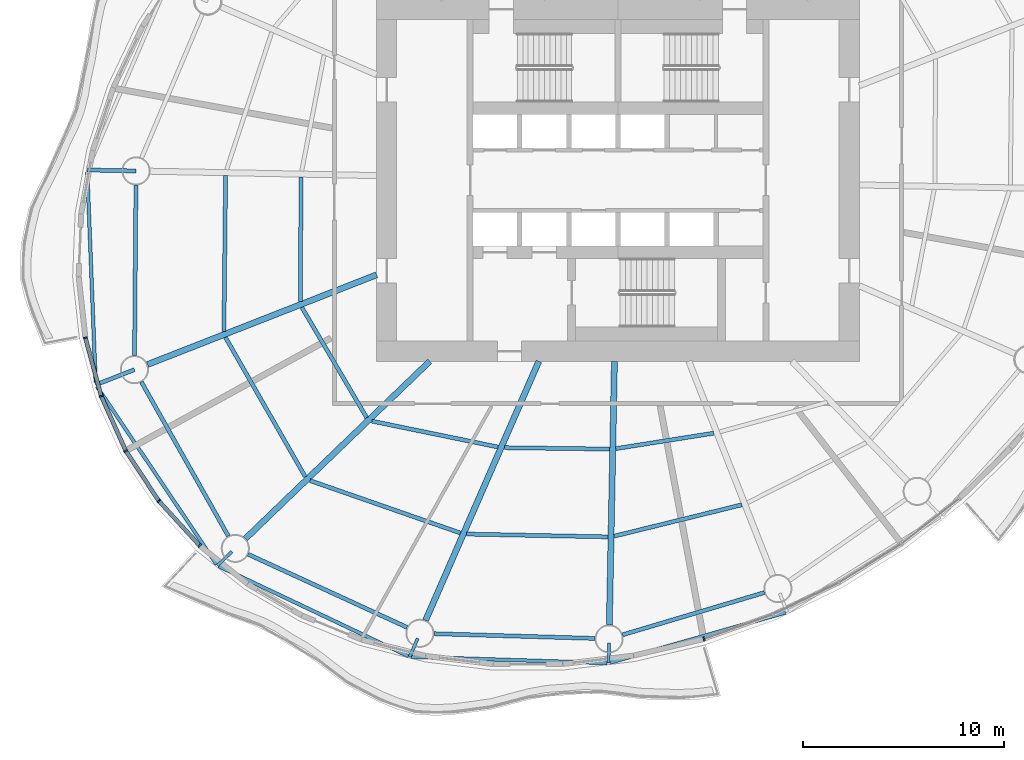
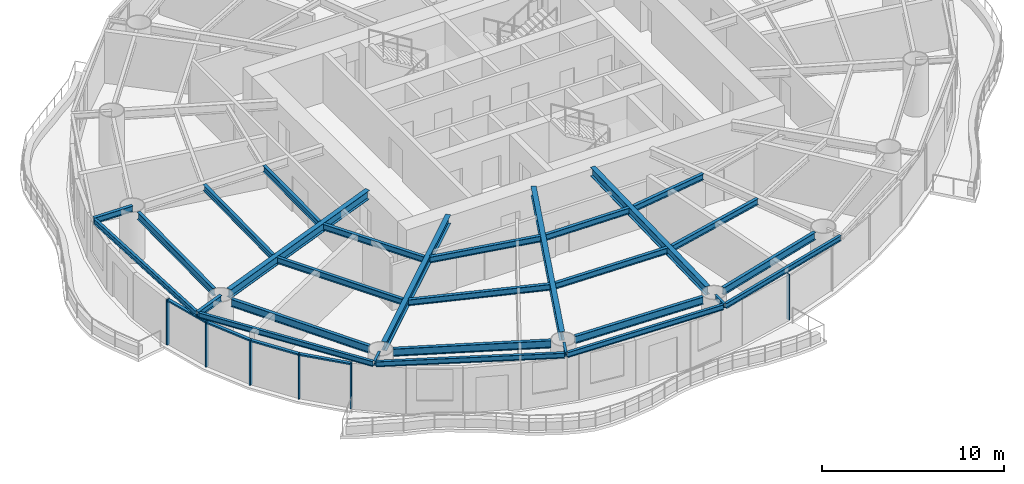
# One storey, part 2 of 14: 29 beams, 10 members, 5 elements without a shape of their own.
"""IFC4 building model written with IfcOpenShell, lengths in metres."""

from ifc_helpers import new_model, si_unit, direction, frame, origin, origin_2d, place, context, subcontext, project, spatial, rectangle, i_section, extrude, material, material_profile, profile_set, type_object, element, aggregate, save


model = new_model("IFC4")

# Units and contexts
model_context = context("Model", 3, precision=1e-05, world=origin(), true_north=direction((0.0, 1.0)))
body_context = subcontext(model_context, "Body", "Model", "MODEL_VIEW")
ifc_project = project(units=[si_unit("LENGTHUNIT", "METRE"), si_unit("AREAUNIT", "SQUARE_METRE"), si_unit("VOLUMEUNIT", "CUBIC_METRE"), si_unit("PLANEANGLEUNIT", "RADIAN"), si_unit("MASSUNIT", "GRAM", prefix="KILO")], contexts=[model_context])

# Site, building, storey
site_placement = place(None, origin())
site = spatial("IfcSite", under=ifc_project, at=site_placement, CompositionType="ELEMENT")
building_placement = place(site_placement, origin())
building = spatial("IfcBuilding", under=site, at=building_placement, Name="Vermilion Reach Broadcast Tower", CompositionType="ELEMENT")
storey_placement = place(building_placement, frame((0.0, 0.0, 150.60009765625)))
storey = spatial("IfcBuildingStorey", under=building, at=storey_placement, Name="L35", CompositionType="ELEMENT", Elevation=150.60009765625)

# Beams
ifc_material_1 = material(Name="Steel S355J2", Category="steel")
ifc_material_profile_1 = material_profile(ifc_material_1, i_section(OverallWidth=0.175048828125, OverallDepth=0.35009765625, WebThickness=0.007080078125, FlangeThickness=0.010986328125, at=origin_2d()), Name="S355J2 HN 350x175x7x11")
ifc_profile_set_1 = profile_set([ifc_material_profile_1], Name="Steel S355J2")
beam_type_1 = type_object("IfcBeamType", Name="EB3 HN 350x175x7x11", PredefinedType="BEAM", material=ifc_profile_set_1)
beam_1_placement = place(storey_placement, frame((-32.383544921875, 0.4111328125, 3.27490234375), z_axis=(0.039683442003, -0.999212301981, 0.0), x_axis=(0.999212301981, 0.039683442003, 0.0)))
element("IfcBeam", 1, at=beam_1_placement, inside=storey, type_object=beam_type_1, Name="Edge beam EB3-07", PredefinedType="BEAM", context=body_context, shape_type="SweptSolid", body=[
    extrude(i_section(OverallWidth=0.175048828125, OverallDepth=0.35009765625, WebThickness=0.007080078125, FlangeThickness=0.010986328125, at=origin_2d()), origin(), (0.0, 0.0, 1.0), 10.4833984375),
])
beam_2_placement = place(storey_placement, frame((-31.906005859375, -10.254638671875, 3.27490234375), z_axis=(0.558301159465, -0.829638364192, 0.0), x_axis=(0.829638364192, 0.558301159465, 0.0)))
element("IfcBeam", 2, at=beam_2_placement, inside=storey, type_object=beam_type_1, Name="Edge beam EB3-08", PredefinedType="BEAM", context=body_context, shape_type="SweptSolid", body=[
    extrude(i_section(OverallWidth=0.175048828125, OverallDepth=0.35009765625, WebThickness=0.007080078125, FlangeThickness=0.010986328125, at=origin_2d()), origin(), (0.0, 0.0, 1.0), 10.655029296875),
])
beam_3_placement = place(storey_placement, frame((-25.84228515625, -19.192138671875, 3.27490234375), z_axis=(0.903495446889, -0.428597687175, 0.0), x_axis=(0.428597687175, 0.903495446889, 0.0)))
element("IfcBeam", 3, at=beam_3_placement, inside=storey, type_object=beam_type_1, Name="Edge beam EB3-09", PredefinedType="BEAM", context=body_context, shape_type="SweptSolid", body=[
    extrude(i_section(OverallWidth=0.175048828125, OverallDepth=0.35009765625, WebThickness=0.007080078125, FlangeThickness=0.010986328125, at=origin_2d()), origin(), (0.0, 0.0, 1.0), 10.4248046875),
])
beam_4_placement = place(storey_placement, frame((-16.275146484375, -23.69482421875, 3.27490234375), z_axis=(0.999495579017, -0.03175826705, 0.0), x_axis=(0.03175826705, 0.999495579017, 0.0)))
element("IfcBeam", 4, at=beam_4_placement, inside=storey, type_object=beam_type_1, Name="Edge beam EB3-10", PredefinedType="BEAM", context=body_context, shape_type="SweptSolid", body=[
    extrude(i_section(OverallWidth=0.175048828125, OverallDepth=0.35009765625, WebThickness=0.007080078125, FlangeThickness=0.010986328125, at=origin_2d()), origin(), (0.0, 0.0, 1.0), 9.739990234375),
])
beam_5_placement = place(storey_placement, frame((-6.3896484375, -23.985107421875, 3.27490234375), z_axis=(0.961566566412, 0.274571918373, 0.0), x_axis=(-0.274571918373, 0.961566566412, 0.0)))
element("IfcBeam", 5, at=beam_5_placement, inside=storey, type_object=beam_type_1, Name="Edge beam EB3-11", PredefinedType="BEAM", context=body_context, shape_type="SweptSolid", body=[
    extrude(i_section(OverallWidth=0.175048828125, OverallDepth=0.35009765625, WebThickness=0.007080078125, FlangeThickness=0.010986328125, at=origin_2d()), origin(), (0.0, 0.0, 1.0), 9.07666015625),
])
ifc_material_2 = material(Name="Steel S355J2", Category="steel")
ifc_material_profile_2 = material_profile(ifc_material_2, i_section(OverallWidth=0.300048828125, OverallDepth=0.587890625, WebThickness=0.011962890625, FlangeThickness=0.02001953125, at=origin_2d()), Name="S355J2 HM 588x300x12x20")
ifc_profile_set_2 = profile_set([ifc_material_profile_2], Name="Steel S355J2")
beam_type_2 = type_object("IfcBeamType", Name="G3 HM 588x300x12x20", PredefinedType="BEAM", material=ifc_profile_set_2)
beam_6_placement = place(storey_placement, frame((-18.0, -4.700439453125, 3.156005859375), z_axis=(-0.931124635714, -0.364701128004, 0.0), x_axis=(0.364701128004, -0.931124635714, 0.0)))
element("IfcBeam", 6, at=beam_6_placement, inside=storey, type_object=beam_type_2, Name="Girder G3-08", PredefinedType="BEAM", context=body_context, shape_type="SweptSolid", body=[
    extrude(i_section(OverallWidth=0.300048828125, OverallDepth=0.587890625, WebThickness=0.011962890625, FlangeThickness=0.02001953125, at=origin_2d()), origin(), (0.0, 0.0, 1.0), 12.231201171875),
])
beam_7_placement = place(storey_placement, frame((-15.355712890625, -9.0, 3.156005859375), z_axis=(-0.720670374476, -0.693277874559, 0.0), x_axis=(0.693277874559, -0.720670374476, 0.0)))
element("IfcBeam", 7, at=beam_7_placement, inside=storey, type_object=beam_type_2, Name="Girder G3-09", PredefinedType="BEAM", context=body_context, shape_type="SweptSolid", body=[
    extrude(i_section(OverallWidth=0.300048828125, OverallDepth=0.587890625, WebThickness=0.011962890625, FlangeThickness=0.02001953125, at=origin_2d()), origin(), (0.0, 0.0, 1.0), 12.718505859375),
])
beam_8_placement = place(storey_placement, frame((-9.933837890625, -9.0, 3.156005859375), z_axis=(-0.400519113205, -0.916288404356, 0.0), x_axis=(0.916288404356, -0.400519113205, 0.0)))
element("IfcBeam", 8, at=beam_8_placement, inside=storey, type_object=beam_type_2, Name="Girder G3-10", PredefinedType="BEAM", context=body_context, shape_type="SweptSolid", body=[
    extrude(i_section(OverallWidth=0.300048828125, OverallDepth=0.587890625, WebThickness=0.011962890625, FlangeThickness=0.02001953125, at=origin_2d()), origin(), (0.0, 0.0, 1.0), 14.0595703125),
])
beam_9_placement = place(storey_placement, frame((-6.17431640625, -9.0, 3.156005859375), z_axis=(-0.019378372481, -0.99981222171, 0.0), x_axis=(0.99981222171, -0.019378372481, 0.0)))
element("IfcBeam", 9, at=beam_9_placement, inside=storey, type_object=beam_type_2, Name="Girder G3-11", PredefinedType="BEAM", context=body_context, shape_type="SweptSolid", body=[
    extrude(i_section(OverallWidth=0.300048828125, OverallDepth=0.587890625, WebThickness=0.011962890625, FlangeThickness=0.02001953125, at=origin_2d()), origin(), (0.0, 0.0, 1.0), 13.1025390625),
])
ifc_material_3 = material(Name="Steel S355J2", Category="steel")
ifc_material_profile_3 = material_profile(ifc_material_3, i_section(OverallWidth=0.199951171875, OverallDepth=0.39990234375, WebThickness=0.008056640625, FlangeThickness=0.012939453125, at=origin_2d()), Name="S355J2 HN 400x200x8x13")
ifc_profile_set_3 = profile_set([ifc_material_profile_3], Name="Steel S355J2")
beam_type_3 = type_object("IfcBeamType", Name="GC3 HN 400x200x8x13", PredefinedType="BEAM", material=ifc_profile_set_3)
beam_10_placement = place(storey_placement, frame((-29.95947265625, 0.464111328125, 3.25), z_axis=(-0.999811742453, 0.019403083589, 0.0), x_axis=(-0.019403083589, -0.999811742453, 0.0)))
element("IfcBeam", 10, at=beam_10_placement, inside=storey, type_object=beam_type_3, Name="Cantilever girder GC3-07", PredefinedType="BEAM", context=body_context, shape_type="SweptSolid", body=[
    extrude(i_section(OverallWidth=0.199951171875, OverallDepth=0.39990234375, WebThickness=0.008056640625, FlangeThickness=0.012939453125, at=origin_2d()), origin(), (0.0, 0.0, 1.0), 2.428466796875),
])
beam_11_placement = place(storey_placement, frame((-30.04052734375, -9.41650390625, 3.25), z_axis=(-0.931103154968, -0.364755966105, 0.0), x_axis=(0.364755966105, -0.931103154968, 0.0)))
element("IfcBeam", 11, at=beam_11_placement, inside=storey, type_object=beam_type_3, Name="Cantilever girder GC3-08", PredefinedType="BEAM", context=body_context, shape_type="SweptSolid", body=[
    extrude(i_section(OverallWidth=0.199951171875, OverallDepth=0.39990234375, WebThickness=0.008056640625, FlangeThickness=0.012939453125, at=origin_2d()), origin(), (0.0, 0.0, 1.0), 2.06494140625),
])
ifc_material_4 = material(Name="Steel S355J2", Category="steel")
ifc_material_profile_4 = material_profile(ifc_material_4, i_section(OverallWidth=0.14990234375, OverallDepth=0.300048828125, WebThickness=0.006591796875, FlangeThickness=0.009033203125, at=origin_2d()), Name="S355J2 HN 300x150x6.5x9")
ifc_profile_set_4 = profile_set([ifc_material_profile_4], Name="Steel S355J2")
beam_type_4 = type_object("IfcBeamType", Name="GS3 HN 300x150x6.5x9", PredefinedType="BEAM", material=ifc_profile_set_4)
for number, where, z_axis, x_axis, name in (
    (12, (-25.194091796875, -18.46435546875, 3.2998046875), (-0.720645397388, -0.693303837595, 0.0), (0.693303837595, -0.720645397388, 0.0), "Cantilever stub GS3-09"),
    (13, (-15.955322265625, -22.77587890625, 3.2998046875), (-0.400421736837, -0.916330962408, 0.0), (0.916330962408, -0.400421736837, 0.0), "Cantilever stub GS3-10"),
    (14, (-6.44580078125, -23.0068359375, 3.2998046875), (-0.019288230334, -0.999813964781, 0.0), (0.999813964781, -0.019288230334, 0.0), "Cantilever stub GS3-11"),
):
    element("IfcBeam", number, at=place(storey_placement, frame(where, z_axis=z_axis, x_axis=x_axis)), inside=storey, type_object=beam_type_4, Name=name, PredefinedType="BEAM", context=body_context, shape_type="SweptSolid", body=[
        extrude(i_section(OverallWidth=0.14990234375, OverallDepth=0.300048828125, WebThickness=0.006591796875, FlangeThickness=0.009033203125, at=origin_2d()), origin(), (0.0, 0.0, 1.0), 1.0),
    ])
ifc_material_5 = material(Name="Steel S355J2", Category="steel")
ifc_material_profile_5 = material_profile(ifc_material_5, i_section(OverallWidth=0.199951171875, OverallDepth=0.5, WebThickness=0.010009765625, FlangeThickness=0.01611328125, at=origin_2d()), Name="S355J2 HN 500x200x10x16")
ifc_profile_set_5 = profile_set([ifc_material_profile_5], Name="Steel S355J2")
beam_type_5 = type_object("IfcBeamType", Name="RB3 HN 500x200x10x16", PredefinedType="BEAM", material=ifc_profile_set_5)
beam_12_placement = place(storey_placement, frame((-29.965087890625, -0.23583984375, 3.199951171875), z_axis=(-0.008204232036, -0.999966344722, 0.0), x_axis=(0.999966344722, -0.008204232036, 0.0)))
element("IfcBeam", 15, at=beam_12_placement, inside=storey, type_object=beam_type_5, Name="Ring beam RB3-07", PredefinedType="BEAM", context=body_context, shape_type="SweptSolid", body=[
    extrude(i_section(OverallWidth=0.199951171875, OverallDepth=0.5, WebThickness=0.010009765625, FlangeThickness=0.01611328125, at=origin_2d()), origin(), (0.0, 0.0, 1.0), 8.48095703125),
])
beam_13_placement = place(storey_placement, frame((-29.696533203125, -10.026123046875, 3.199951171875), z_axis=(0.491466825026, -0.870896296869, 0.0), x_axis=(0.870896296869, 0.491466825026, 0.0)))
element("IfcBeam", 16, at=beam_13_placement, inside=storey, type_object=beam_type_5, Name="Ring beam RB3-08", PredefinedType="BEAM", context=body_context, shape_type="SweptSolid", body=[
    extrude(i_section(OverallWidth=0.199951171875, OverallDepth=0.5, WebThickness=0.010009765625, FlangeThickness=0.01611328125, at=origin_2d()), origin(), (0.0, 0.0, 1.0), 8.803466796875),
])
beam_14_placement = place(storey_placement, frame((-24.389892578125, -18.594970703125, 3.199951171875), z_axis=(0.908546241769, -0.417784306272, 0.0), x_axis=(0.417784306272, 0.908546241769, 0.0)))
element("IfcBeam", 17, at=beam_14_placement, inside=storey, type_object=beam_type_5, Name="Ring beam RB3-09", PredefinedType="BEAM", context=body_context, shape_type="SweptSolid", body=[
    extrude(i_section(OverallWidth=0.199951171875, OverallDepth=0.5, WebThickness=0.010009765625, FlangeThickness=0.01611328125, at=origin_2d()), origin(), (0.0, 0.0, 1.0), 8.704833984375),
])
beam_15_placement = place(storey_placement, frame((-15.1455078125, -22.544677734375, 3.199951171875), z_axis=(0.999569781146, -0.029330063427, 0.0), x_axis=(0.029330063427, 0.999569781146, 0.0)))
element("IfcBeam", 18, at=beam_15_placement, inside=storey, type_object=beam_type_5, Name="Ring beam RB3-10", PredefinedType="BEAM", context=body_context, shape_type="SweptSolid", body=[
    extrude(i_section(OverallWidth=0.199951171875, OverallDepth=0.5, WebThickness=0.010009765625, FlangeThickness=0.01611328125, at=origin_2d()), origin(), (0.0, 0.0, 1.0), 8.007568359375),
])
beam_16_placement = place(storey_placement, frame((-5.770751953125, -22.60009765625, 3.199951171875), z_axis=(0.958416970322, 0.285371531516, 0.0), x_axis=(-0.285371531516, 0.958416970322, 0.0)))
element("IfcBeam", 19, at=beam_16_placement, inside=storey, type_object=beam_type_5, Name="Ring beam RB3-11", PredefinedType="BEAM", context=body_context, shape_type="SweptSolid", body=[
    extrude(i_section(OverallWidth=0.199951171875, OverallDepth=0.5, WebThickness=0.010009765625, FlangeThickness=0.01611328125, at=origin_2d()), origin(), (0.0, 0.0, 1.0), 7.357421875),
])
ifc_material_6 = material(Name="Steel S355J2", Category="steel")
ifc_material_profile_6 = material_profile(ifc_material_6, i_section(OverallWidth=0.199951171875, OverallDepth=0.39990234375, WebThickness=0.008056640625, FlangeThickness=0.012939453125, at=origin_2d()), Name="S355J2 HN 400x200x8x13")
ifc_profile_set_6 = profile_set([ifc_material_profile_6], Name="Steel S355J2")
beam_type_6 = type_object("IfcBeamType", Name="SB3 HN 400x200x8x13", PredefinedType="BEAM", material=ifc_profile_set_6)
beam_17_placement = place(storey_placement, frame((-21.754150390625, 0.1552734375, 3.25), z_axis=(-0.006635449147, -0.999977985165, 0.0), x_axis=(0.999977985165, -0.006635449147, 0.0)))
element("IfcBeam", 20, at=beam_17_placement, inside=storey, type_object=beam_type_6, Name="Secondary beam SB3-07-1", PredefinedType="BEAM", context=body_context, shape_type="SweptSolid", body=[
    extrude(i_section(OverallWidth=0.199951171875, OverallDepth=0.39990234375, WebThickness=0.008056640625, FlangeThickness=0.012939453125, at=origin_2d()), origin(), (0.0, 0.0, 1.0), 6.181396484375),
])
beam_18_placement = place(storey_placement, frame((-25.508056640625, 0.22802734375, 3.25), z_axis=(-0.010691708672, -0.999942842049, 0.0), x_axis=(0.999942842049, -0.010691708672, 0.0)))
element("IfcBeam", 21, at=beam_18_placement, inside=storey, type_object=beam_type_6, Name="Secondary beam SB3-07-2", PredefinedType="BEAM", context=body_context, shape_type="SweptSolid", body=[
    extrude(i_section(OverallWidth=0.199951171875, OverallDepth=0.39990234375, WebThickness=0.008056640625, FlangeThickness=0.012939453125, at=origin_2d()), origin(), (0.0, 0.0, 1.0), 7.740966796875),
])
beam_19_placement = place(storey_placement, frame((-21.71923828125, -6.318115234375, 3.25), z_axis=(0.507249643612, -0.861799163991, 0.0), x_axis=(0.861799163991, 0.507249643612, 0.0)))
element("IfcBeam", 22, at=beam_19_placement, inside=storey, type_object=beam_type_6, Name="Secondary beam SB3-08-1", PredefinedType="BEAM", context=body_context, shape_type="SweptSolid", body=[
    extrude(i_section(OverallWidth=0.199951171875, OverallDepth=0.39990234375, WebThickness=0.008056640625, FlangeThickness=0.012939453125, at=origin_2d()), origin(), (0.0, 0.0, 1.0), 6.3681640625),
])
beam_20_placement = place(storey_placement, frame((-25.51708984375, -7.805908203125, 3.25), z_axis=(0.497026503115, -0.867735360119, 0.0), x_axis=(0.867735360119, 0.497026503115, 0.0)))
element("IfcBeam", 23, at=beam_20_placement, inside=storey, type_object=beam_type_6, Name="Secondary beam SB3-08-2", PredefinedType="BEAM", context=body_context, shape_type="SweptSolid", body=[
    extrude(i_section(OverallWidth=0.199951171875, OverallDepth=0.39990234375, WebThickness=0.008056640625, FlangeThickness=0.012939453125, at=origin_2d()), origin(), (0.0, 0.0, 1.0), 7.995849609375),
])
beam_21_placement = place(storey_placement, frame((-18.232666015625, -11.975830078125, 3.25), z_axis=(0.97956765607, -0.201114910391, 0.0), x_axis=(0.201114910391, 0.97956765607, 0.0)))
element("IfcBeam", 24, at=beam_21_placement, inside=storey, type_object=beam_type_6, Name="Secondary beam SB3-09-1", PredefinedType="BEAM", context=body_context, shape_type="SweptSolid", body=[
    extrude(i_section(OverallWidth=0.199951171875, OverallDepth=0.39990234375, WebThickness=0.008056640625, FlangeThickness=0.012939453125, at=origin_2d()), origin(), (0.0, 0.0, 1.0), 6.40234375),
])
beam_22_placement = place(storey_placement, frame((-21.307373046875, -14.93359375, 3.25), z_axis=(0.94431696779, -0.329037177754, 0.0), x_axis=(0.329037177754, 0.94431696779, 0.0)))
element("IfcBeam", 25, at=beam_22_placement, inside=storey, type_object=beam_type_6, Name="Secondary beam SB3-09-2", PredefinedType="BEAM", context=body_context, shape_type="SweptSolid", body=[
    extrude(i_section(OverallWidth=0.199951171875, OverallDepth=0.39990234375, WebThickness=0.008056640625, FlangeThickness=0.012939453125, at=origin_2d()), origin(), (0.0, 0.0, 1.0), 7.91845703125),
])
beam_23_placement = place(storey_placement, frame((-11.648193359375, -13.29638671875, 3.25), z_axis=(0.999914891843, -0.013046419838, 0.0), x_axis=(0.013046419838, 0.999914891843, 0.0)))
element("IfcBeam", 26, at=beam_23_placement, inside=storey, type_object=beam_type_6, Name="Secondary beam SB3-10-1", PredefinedType="BEAM", context=body_context, shape_type="SweptSolid", body=[
    extrude(i_section(OverallWidth=0.199951171875, OverallDepth=0.39990234375, WebThickness=0.008056640625, FlangeThickness=0.012939453125, at=origin_2d()), origin(), (0.0, 0.0, 1.0), 5.23974609375),
])
beam_24_placement = place(storey_placement, frame((-13.525634765625, -17.591552734375, 3.25), z_axis=(0.999804929321, -0.019751033045, 0.0), x_axis=(0.019751033045, 0.999804929321, 0.0)))
element("IfcBeam", 27, at=beam_24_placement, inside=storey, type_object=beam_type_6, Name="Secondary beam SB3-10-2", PredefinedType="BEAM", context=body_context, shape_type="SweptSolid", body=[
    extrude(i_section(OverallWidth=0.199951171875, OverallDepth=0.39990234375, WebThickness=0.008056640625, FlangeThickness=0.012939453125, at=origin_2d()), origin(), (0.0, 0.0, 1.0), 7.033447265625),
])
beam_25_placement = place(storey_placement, frame((-6.1083984375, -13.343017578125, 3.25), z_axis=(0.987756142208, 0.15600578044, 0.0), x_axis=(-0.15600578044, 0.987756142208, 0.0)))
element("IfcBeam", 28, at=beam_25_placement, inside=storey, type_object=beam_type_6, Name="Secondary beam SB3-11-1", PredefinedType="BEAM", context=body_context, shape_type="SweptSolid", body=[
    extrude(i_section(OverallWidth=0.199951171875, OverallDepth=0.39990234375, WebThickness=0.008056640625, FlangeThickness=0.012939453125, at=origin_2d()), origin(), (0.0, 0.0, 1.0), 4.9326171875),
])
beam_26_placement = place(storey_placement, frame((-6.19287109375, -17.6962890625, 3.25), z_axis=(0.971111691931, 0.238625400566, 0.0), x_axis=(-0.238625400566, 0.971111691931, 0.0)))
element("IfcBeam", 29, at=beam_26_placement, inside=storey, type_object=beam_type_6, Name="Secondary beam SB3-11-2", PredefinedType="BEAM", context=body_context, shape_type="SweptSolid", body=[
    extrude(i_section(OverallWidth=0.199951171875, OverallDepth=0.39990234375, WebThickness=0.008056640625, FlangeThickness=0.012939453125, at=origin_2d()), origin(), (0.0, 0.0, 1.0), 6.540771484375),
])

# Curtain wall, member
ifc_material_7 = material(Name="Low-e laminated clear glass in aluminium frame", Category="aluminium")
curtain_wall_type = type_object("IfcCurtainWallType", Name="Slot curtain wall", PredefinedType="NOTDEFINED", material=ifc_material_7)
placement = place(storey_placement, origin())
curtain_wall_1 = element("IfcCurtainWall", 30, at=placement, inside=storey, type_object=curtain_wall_type, Name="Slot curtain wall L35 22", PredefinedType="NOTDEFINED")
ifc_material_8 = material(Name="Anodised aluminium", Category="aluminium")
ifc_material_profile_7 = material_profile(ifc_material_8, rectangle(XDim=0.199951171875, YDim=0.080078125, at=origin_2d()), Name="Slot mullion 80 x 200")
ifc_profile_set_7 = profile_set([ifc_material_profile_7], Name="Anodised aluminium")
member_type_1 = type_object("IfcMemberType", Name="Slot mullion 80 x 200", PredefinedType="MULLION", material=ifc_profile_set_7)
member_1_placement = place(storey_placement, frame((-32.47802734375, -7.832275390625, 0.0), z_axis=(0.0, 0.0, 1.0), x_axis=(0.982526600991, 0.186122213465, 0.0)))
member_1 = element("IfcMember", 31, at=member_1_placement, type_object=member_type_1, Name="Slot mullion L35 22", PredefinedType="MULLION", context=body_context, shape_type="SweptSolid", body=[
    extrude(rectangle(XDim=0.199951171875, YDim=0.080078125, at=origin_2d()), origin(), (0.0, 0.0, 1.0), 3.0498046875),
])

curtain_wall_2 = element("IfcCurtainWall", 32, at=placement, inside=storey, type_object=curtain_wall_type, Name="Slot curtain wall L35 23", PredefinedType="NOTDEFINED")
member_2_placement = place(storey_placement, frame((-31.69189453125, -10.73388671875, 0.0), z_axis=(0.0, 0.0, 1.0), x_axis=(0.941522769431, 0.336949365103, 0.0)))
member_2 = element("IfcMember", 33, at=member_2_placement, type_object=member_type_1, Name="Slot mullion L35 23", PredefinedType="MULLION", context=body_context, shape_type="SweptSolid", body=[
    extrude(rectangle(XDim=0.199951171875, YDim=0.080078125, at=origin_2d()), origin(), (0.0, 0.0, 1.0), 3.0498046875),
])

curtain_wall_3 = element("IfcCurtainWall", 34, at=placement, inside=storey, type_object=curtain_wall_type, Name="Slot curtain wall L35 24", PredefinedType="NOTDEFINED")
member_3_placement = place(storey_placement, frame((-30.468994140625, -13.451904296875, 0.0), z_axis=(0.0, 0.0, 1.0), x_axis=(0.876306754633, 0.481753538425, 0.0)))
member_3 = element("IfcMember", 35, at=member_3_placement, type_object=member_type_1, Name="Slot mullion L35 24", PredefinedType="MULLION", context=body_context, shape_type="SweptSolid", body=[
    extrude(rectangle(XDim=0.199951171875, YDim=0.080078125, at=origin_2d()), origin(), (0.0, 0.0, 1.0), 3.0498046875),
])

# Curtain wall, members
curtain_wall_4 = element("IfcCurtainWall", 36, at=placement, inside=storey, type_object=curtain_wall_type, Name="Slot curtain wall L35 25", PredefinedType="NOTDEFINED")
member_4_placement = place(storey_placement, frame((-28.829345703125, -15.94091796875, 0.0), z_axis=(0.0, 0.0, 1.0), x_axis=(0.788988889973, 0.61440746374, 0.0)))
member_4 = element("IfcMember", 37, at=member_4_placement, type_object=member_type_1, Name="Slot mullion L35 25", PredefinedType="MULLION", context=body_context, shape_type="SweptSolid", body=[
    extrude(rectangle(XDim=0.199951171875, YDim=0.080078125, at=origin_2d()), origin(), (0.0, 0.0, 1.0), 3.0498046875),
])
member_5_placement = place(storey_placement, frame((-26.800537109375, -18.159423828125, 0.0), z_axis=(0.0, 0.0, 1.0), x_axis=(0.68361216835, 0.729845465345, 0.0)))
member_5 = element("IfcMember", 38, at=member_5_placement, type_object=member_type_1, Name="Slot mullion L35 26", PredefinedType="MULLION", context=body_context, shape_type="SweptSolid", body=[
    extrude(rectangle(XDim=0.199951171875, YDim=0.080078125, at=origin_2d()), origin(), (0.0, 0.0, 1.0), 3.0498046875),
])

# Curtain wall, member
curtain_wall_5 = element("IfcCurtainWall", 39, at=placement, inside=storey, type_object=curtain_wall_type, Name="Slot curtain wall L35 34", PredefinedType="NOTDEFINED")
member_6_placement = place(storey_placement, frame((-1.723876953125, -22.80712890625, 0.0), z_axis=(0.0, 0.0, 1.0), x_axis=(-0.282324732449, 0.959318896639, 0.0)))
member_6 = element("IfcMember", 40, at=member_6_placement, type_object=member_type_1, Name="Slot mullion L35 34", PredefinedType="MULLION", context=body_context, shape_type="SweptSolid", body=[
    extrude(rectangle(XDim=0.199951171875, YDim=0.080078125, at=origin_2d()), origin(), (0.0, 0.0, 1.0), 3.0498046875),
])
aggregate(curtain_wall_5, [member_6])

# Member
ifc_material_9 = material(Name="Anodised aluminium", Category="aluminium")
ifc_material_profile_8 = material_profile(ifc_material_9, rectangle(XDim=0.199951171875, YDim=0.10009765625, at=origin_2d()), Name="Slot transom 200 x 100")
ifc_profile_set_8 = profile_set([ifc_material_profile_8], Name="Anodised aluminium")
member_type_2 = type_object("IfcMemberType", Name="Slot transom 200 x 100", PredefinedType="USERDEFINED", material=ifc_profile_set_8)
member_7_placement = place(storey_placement, frame((-32.467529296875, -7.870849609375, 3.0), z_axis=(0.261472152899, -0.965211020067, 0.0), x_axis=(0.965211020067, 0.261472152899, 0.0)))
member_7 = element("IfcMember", 41, at=member_7_placement, type_object=member_type_2, Name="Slot transom L35 22.1", ObjectType="TRANSOM", PredefinedType="USERDEFINED", context=body_context, shape_type="SweptSolid", body=[
    extrude(rectangle(XDim=0.199951171875, YDim=0.10009765625, at=origin_2d()), origin(), (0.0, 0.0, 1.0), 2.92626953125),
])

aggregate(curtain_wall_1, [member_1, member_7])

member_8_placement = place(storey_placement, frame((-31.675537109375, -10.770263671875, 3.0), z_axis=(0.410312181887, -0.911945126307, 0.0), x_axis=(0.911945126307, 0.410312181887, 0.0)))
member_8 = element("IfcMember", 42, at=member_8_placement, type_object=member_type_2, Name="Slot transom L35 23.1", ObjectType="TRANSOM", PredefinedType="USERDEFINED", context=body_context, shape_type="SweptSolid", body=[
    extrude(rectangle(XDim=0.199951171875, YDim=0.10009765625, at=origin_2d()), origin(), (0.0, 0.0, 1.0), 2.900634765625),
])

aggregate(curtain_wall_2, [member_2, member_8])

member_9_placement = place(storey_placement, frame((-30.44677734375, -13.4853515625, 3.0), z_axis=(0.550087944093, -0.835106731959, 0.0), x_axis=(0.835106731959, 0.550087944093, 0.0)))
member_9 = element("IfcMember", 43, at=member_9_placement, type_object=member_type_2, Name="Slot transom L35 24.1", ObjectType="TRANSOM", PredefinedType="USERDEFINED", context=body_context, shape_type="SweptSolid", body=[
    extrude(rectangle(XDim=0.199951171875, YDim=0.10009765625, at=origin_2d()), origin(), (0.0, 0.0, 1.0), 2.900390625),
])

aggregate(curtain_wall_3, [member_3, member_9])

member_10_placement = place(storey_placement, frame((-28.80224609375, -15.970458984375, 3.0), z_axis=(0.674866572138, -0.737939773837, 0.0), x_axis=(0.737939773837, 0.674866572138, 0.0)))
member_10 = element("IfcMember", 44, at=member_10_placement, type_object=member_type_2, Name="Slot transom L35 25.1", ObjectType="TRANSOM", PredefinedType="USERDEFINED", context=body_context, shape_type="SweptSolid", body=[
    extrude(rectangle(XDim=0.199951171875, YDim=0.10009765625, at=origin_2d()), origin(), (0.0, 0.0, 1.0), 2.92626953125),
])

aggregate(curtain_wall_4, [member_4, member_5, member_10])

save(model, "model.ifc")
